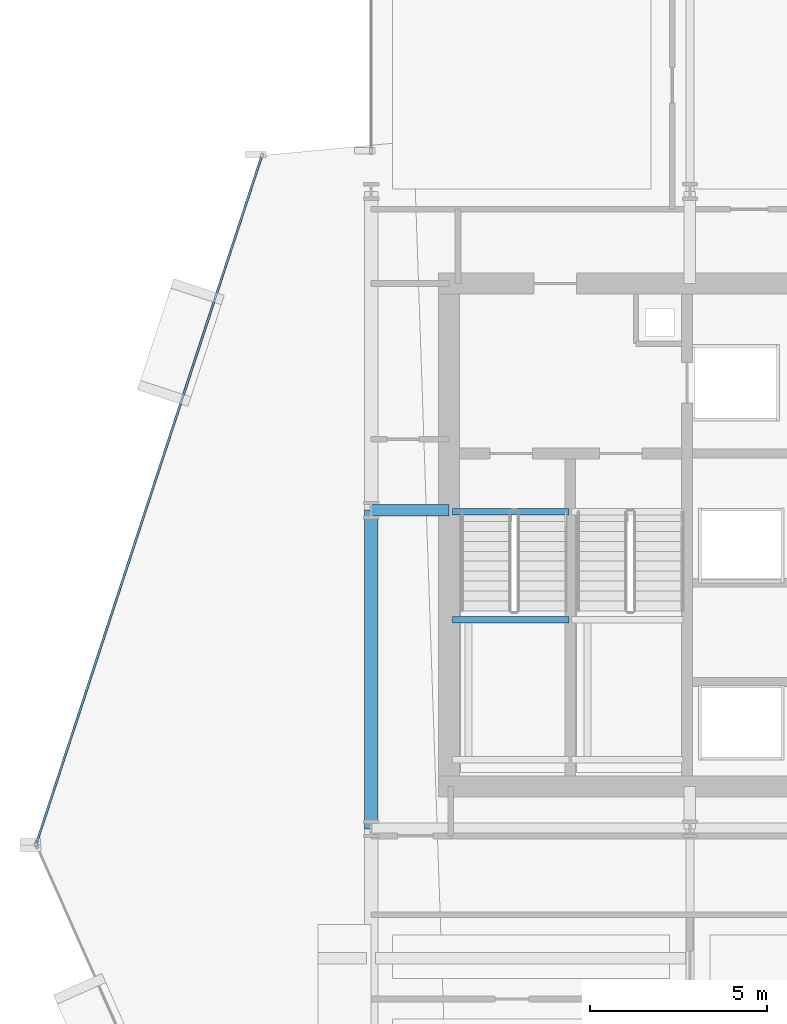
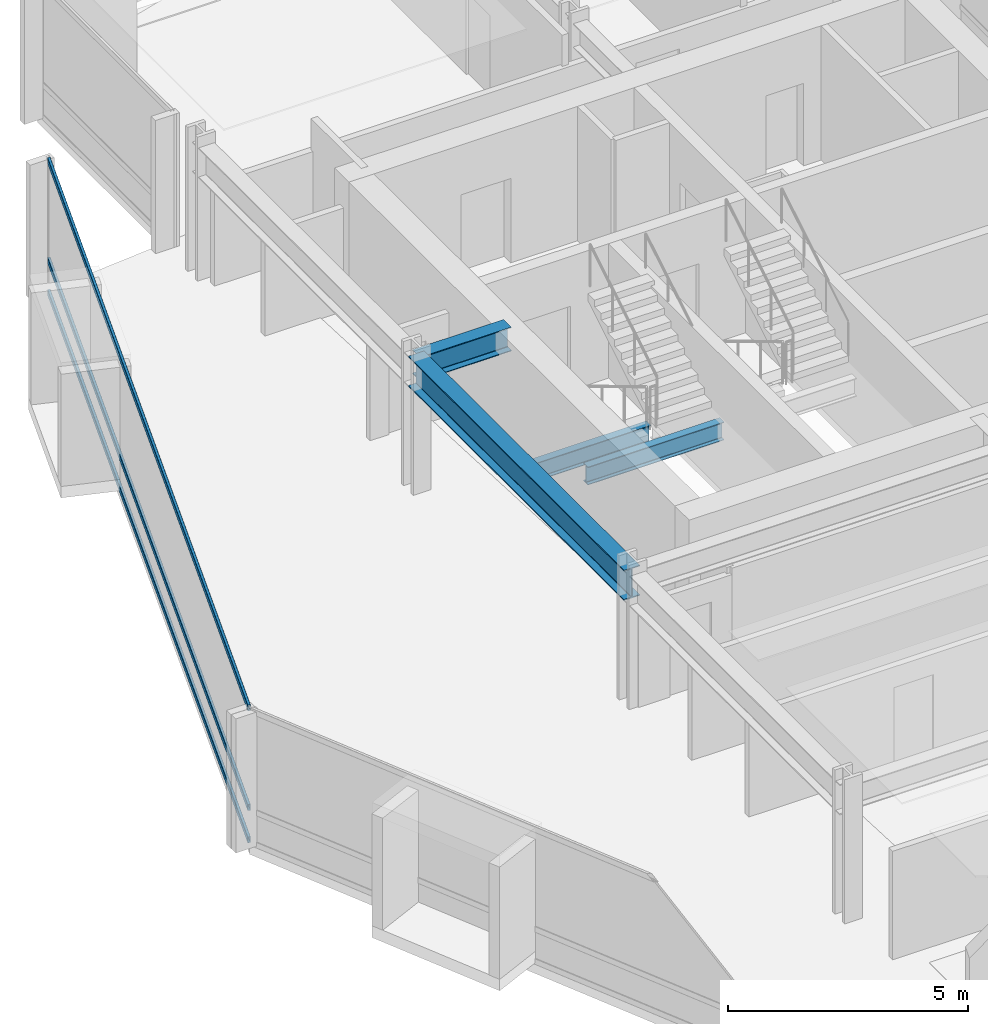
# One storey, part 18 of 34: 4 beams, 3 members, 1 element without a shape of its own.
"""IFC4 building model written with IfcOpenShell, lengths in metres."""

from ifc_helpers import new_model, si_unit, direction, frame, origin, origin_2d, place, context, subcontext, project, spatial, hollow_rectangle, i_section, extrude, material, layer, layer_set, material_profile, profile_set, type_object, element, aggregate, save


model = new_model("IFC4")

# Units and contexts
model_context = context("Model", 3, precision=1e-05, world=origin(), true_north=direction((0.0, 1.0)))
body_context = subcontext(model_context, "Body", "Model", "MODEL_VIEW")
ifc_project = project(units=[si_unit("LENGTHUNIT", "METRE"), si_unit("AREAUNIT", "SQUARE_METRE"), si_unit("VOLUMEUNIT", "CUBIC_METRE"), si_unit("PLANEANGLEUNIT", "RADIAN"), si_unit("MASSUNIT", "GRAM", prefix="KILO")], contexts=[model_context])

# Site, building, storey
site_placement = place(None, origin())
site = spatial("IfcSite", under=ifc_project, at=site_placement, CompositionType="ELEMENT")
building_placement = place(site_placement, origin())
building = spatial("IfcBuilding", under=site, at=building_placement, Name="Solvaryn Broadcast Tower", CompositionType="ELEMENT")
storey_placement = place(building_placement, frame((0.0, 0.0, 61.89990234375)))
storey = spatial("IfcBuildingStorey", under=building, at=storey_placement, Name="L14", CompositionType="ELEMENT", Elevation=61.89990234375)

# Beams
ifc_material_1 = material(Name="Steel ASTM A992 Grade 50", Category="steel")
ifc_material_profile_1 = material_profile(ifc_material_1, i_section(OverallWidth=0.323974609375, OverallDepth=0.611083984375, WebThickness=0.0126953125, FlangeThickness=0.01904296875, FilletRadius=0.014892578125, at=origin_2d()))
ifc_profile_set_1 = profile_set([ifc_material_profile_1], Name="Steel ASTM A992 Grade 50")
beam_type_1 = type_object("IfcBeamType", Name="BM-B1-W24X104", PredefinedType="BEAM", material=ifc_profile_set_1)
beam_1_placement = place(storey_placement, frame((9.0, 36.0, 3.114501953125), z_axis=(1.0, 0.0, 0.0), x_axis=(0.0, 1.0, 0.0)))
element("IfcBeam", 1, at=beam_1_placement, inside=storey, type_object=beam_type_1, Name="L14 Core Tie Beam CTW1", PredefinedType="BEAM", context=body_context, shape_type="SweptSolid", body=[
    extrude(i_section(OverallWidth=0.323974609375, OverallDepth=0.611083984375, WebThickness=0.0126953125, FlangeThickness=0.01904296875, FilletRadius=0.014892578125, at=origin_2d()), origin(), (0.0, 0.0, 1.0), 2.199951171875),
])
ifc_material_2 = material(Name="Steel ASTM A992 Grade 50", Category="steel")
ifc_material_profile_2 = material_profile(ifc_material_2, i_section(OverallWidth=0.18994140625, OverallDepth=0.45703125, WebThickness=0.009033203125, FlangeThickness=0.014404296875, FilletRadius=0.011962890625, at=origin_2d()))
ifc_profile_set_2 = profile_set([ifc_material_profile_2], Name="Steel ASTM A992 Grade 50")
beam_type_2 = type_object("IfcBeamType", Name="BM-B4-W18X50", PredefinedType="BEAM", material=ifc_profile_set_2)
for number, where, z_axis, x_axis, name in (
    (2, (11.300048828125, 35.9599609375, -0.50830078125), (1.0, 0.0, 0.0), (0.0, 1.0, 0.0), "L14 ST1 Stair Well Trimmer Beam"),
    (3, (11.300048828125, 32.909912109375, 1.421630859375), (1.0, 0.0, 0.0), (0.0, 1.0, 0.0), "L14 ST1 Landing Support Beam 1B"),
):
    element("IfcBeam", number, at=place(storey_placement, frame(where, z_axis=z_axis, x_axis=x_axis)), inside=storey, type_object=beam_type_2, Name=name, PredefinedType="BEAM", context=body_context, shape_type="SweptSolid", body=[
        extrude(i_section(OverallWidth=0.18994140625, OverallDepth=0.45703125, WebThickness=0.009033203125, FlangeThickness=0.014404296875, FilletRadius=0.011962890625, at=origin_2d()), origin(), (0.0, 0.0, 1.0), 3.280029296875),
    ])
ifc_material_3 = material(Name="Steel ASTM A992 Grade 50", Category="steel")
ifc_material_profile_3 = material_profile(ifc_material_3, i_section(OverallWidth=0.381103515625, OverallDepth=0.77294921875, WebThickness=0.0166015625, FlangeThickness=0.027099609375, FilletRadius=0.01806640625, at=origin_2d()))
ifc_profile_set_3 = profile_set([ifc_material_profile_3], Name="Steel ASTM A992 Grade 50")
beam_type_3 = type_object("IfcBeamType", Name="BM-SP1-W30X173", PredefinedType="USERDEFINED", material=ifc_profile_set_3)
beam_2_placement = place(storey_placement, frame((9.0, 27.0, 3.03369140625), z_axis=(0.0, 1.0, 0.0), x_axis=(-1.0, 0.0, 0.0)))
element("IfcBeam", 4, at=beam_2_placement, inside=storey, type_object=beam_type_3, Name="L14 Spandrel Beam Y (27-36 @ X=9)", ObjectType="SPANDREL", PredefinedType="USERDEFINED", context=body_context, shape_type="SweptSolid", body=[
    extrude(i_section(OverallWidth=0.381103515625, OverallDepth=0.77294921875, WebThickness=0.0166015625, FlangeThickness=0.027099609375, FilletRadius=0.01806640625, at=origin_2d()), origin(), (0.0, 0.0, 1.0), 9.0),
])

# Curtain wall, members
ifc_material_4 = material(Name="Aluminium and Terracotta Unitised Curtain Wall", Category="masonry")
ifc_layer = layer(ifc_material_4, 0.199951171875)
ifc_layer_set = layer_set([ifc_layer], Name="CW-SYS2-LOWMID")
curtain_wall_type = type_object("IfcCurtainWallType", Name="CW-SYS2-LOWMID", PredefinedType="NOTDEFINED", material=ifc_layer_set)
curtain_wall_placement = place(storey_placement, origin())
curtain_wall = element("IfcCurtainWall", 5, at=curtain_wall_placement, inside=storey, type_object=curtain_wall_type, Name="L14 Curtain Wall DR1", PredefinedType="NOTDEFINED")
ifc_material_5 = material(Name="Anodised Aluminium 6063-T6", Category="aluminium")
ifc_material_profile_4 = material_profile(ifc_material_5, hollow_rectangle(XDim=0.06494140625, YDim=0.14990234375, WallThickness=0.00390625, InnerFilletRadius=0.00390625, OuterFilletRadius=0.008056640625, at=origin_2d()))
ifc_profile_set_4 = profile_set([ifc_material_profile_4], Name="Anodised Aluminium 6063-T6")
member_type = type_object("IfcMemberType", Name="CW-TRN-150", PredefinedType="USERDEFINED", material=ifc_profile_set_4)
member_1_placement = place(storey_placement, frame((5.897216796875, 45.958984375, 0.030029296875), z_axis=(-0.311589549406, -0.950216792475, 0.0), x_axis=(0.950216792475, -0.311589549406, 0.0)))
member_1 = element("IfcMember", 6, at=member_1_placement, type_object=member_type, Name="CWS2 transom 1.1", ObjectType="TRANSOM", PredefinedType="USERDEFINED", context=body_context, shape_type="SweptSolid", body=[
    extrude(hollow_rectangle(XDim=0.06494140625, YDim=0.14990234375, WallThickness=0.00390625, InnerFilletRadius=0.00390625, OuterFilletRadius=0.008056640625, at=origin_2d()), origin(), (0.0, 0.0, 1.0), 20.35546875),
])
member_2_placement = place(storey_placement, frame((5.897216796875, 45.958984375, 0.85009765625), z_axis=(-0.311589549406, -0.950216792475, 0.0), x_axis=(0.950216792475, -0.311589549406, 0.0)))
member_2 = element("IfcMember", 7, at=member_2_placement, type_object=member_type, Name="CWS2 transom 1.2", ObjectType="TRANSOM", PredefinedType="USERDEFINED", context=body_context, shape_type="SweptSolid", body=[
    extrude(hollow_rectangle(XDim=0.06494140625, YDim=0.14990234375, WallThickness=0.00390625, InnerFilletRadius=0.00390625, OuterFilletRadius=0.008056640625, at=origin_2d()), origin(), (0.0, 0.0, 1.0), 20.35546875),
])
member_3_placement = place(storey_placement, frame((5.897216796875, 45.958984375, 3.39013671875), z_axis=(-0.311589549406, -0.950216792475, 0.0), x_axis=(0.950216792475, -0.311589549406, 0.0)))
member_3 = element("IfcMember", 8, at=member_3_placement, type_object=member_type, Name="CWS2 transom 1.3", ObjectType="TRANSOM", PredefinedType="USERDEFINED", context=body_context, shape_type="SweptSolid", body=[
    extrude(hollow_rectangle(XDim=0.06494140625, YDim=0.14990234375, WallThickness=0.00390625, InnerFilletRadius=0.00390625, OuterFilletRadius=0.008056640625, at=origin_2d()), origin(), (0.0, 0.0, 1.0), 20.35546875),
])
aggregate(curtain_wall, [member_1, member_2, member_3])

save(model, "model.ifc")
